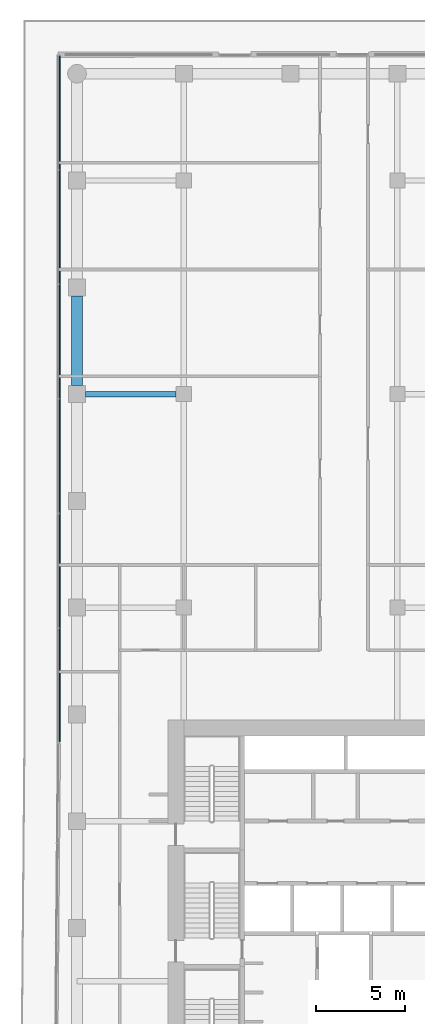
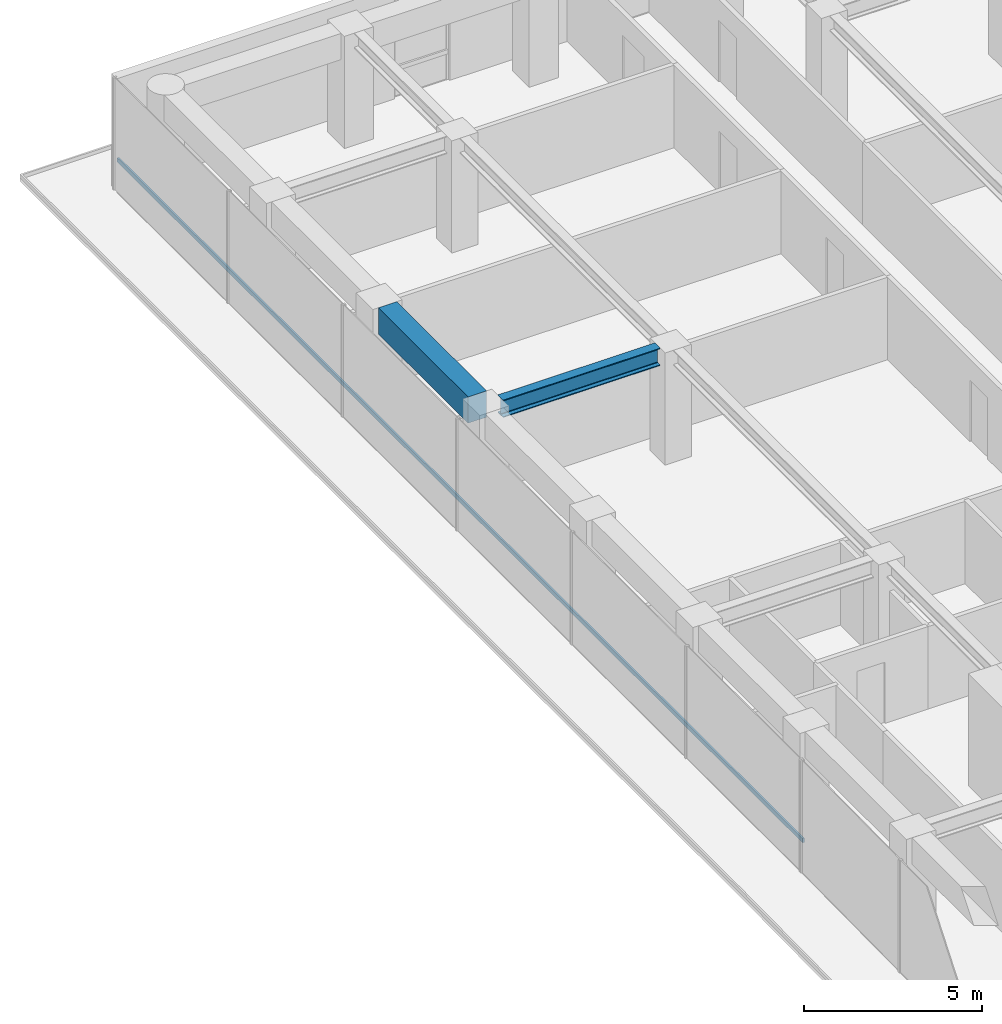
# One storey, part 15 of 29: 2 beams, 1 member, 1 element without a shape of its own.
"""IFC4 building model written with IfcOpenShell, lengths in metres."""

from ifc_helpers import new_model, si_unit, direction, frame, origin, origin_2d, place, context, subcontext, project, spatial, rectangle, i_section, extrude, material, layer, layer_set, material_profile, profile_set, type_object, element, aggregate, save


model = new_model("IFC4")

# Units and contexts
model_context = context("Model", 3, precision=1e-05, world=origin(), true_north=direction((0.0, 1.0)))
body_context = subcontext(model_context, "Body", "Model", "MODEL_VIEW")
ifc_project = project(units=[si_unit("LENGTHUNIT", "METRE"), si_unit("AREAUNIT", "SQUARE_METRE"), si_unit("VOLUMEUNIT", "CUBIC_METRE"), si_unit("PLANEANGLEUNIT", "RADIAN"), si_unit("MASSUNIT", "GRAM", prefix="KILO")], contexts=[model_context])

# Site, building, storey
site_placement = place(None, origin())
site = spatial("IfcSite", under=ifc_project, at=site_placement, CompositionType="ELEMENT")
building_placement = place(site_placement, origin())
building = spatial("IfcBuilding", under=site, at=building_placement, Name="Welwitschia Terrace Campus", CompositionType="ELEMENT")
storey_placement = place(building_placement, frame((0.0, 0.0, 50.0)))
storey = spatial("IfcBuildingStorey", under=building, at=storey_placement, Name="L11", CompositionType="ELEMENT", Elevation=50.0)

# Beams
ifc_material_1 = material(Name="Steel S355", Category="steel")
ifc_material_profile_1 = material_profile(ifc_material_1, i_section(OverallWidth=0.300048828125, OverallDepth=0.60009765625, WebThickness=0.015380859375, FlangeThickness=0.030029296875, FilletRadius=0.027099609375, at=origin_2d()))
ifc_profile_set_1 = profile_set([ifc_material_profile_1], Name="Steel S355")
beam_type_1 = type_object("IfcBeamType", Name="Primary beam HE 600 B", PredefinedType="BEAM", material=ifc_profile_set_1)
beam_1_placement = place(storey_placement, frame((0.4755859375, 44.0, 3.550048828125), z_axis=(1.0, 0.0, 0.0), x_axis=(0.0, 1.0, 0.0)))
element("IfcBeam", 1, at=beam_1_placement, inside=storey, type_object=beam_type_1, Name="Primary beam PB2", PredefinedType="BEAM", context=body_context, shape_type="SweptSolid", body=[
    extrude(i_section(OverallWidth=0.300048828125, OverallDepth=0.60009765625, WebThickness=0.015380859375, FlangeThickness=0.030029296875, FilletRadius=0.027099609375, at=origin_2d()), origin(), (0.0, 0.0, 1.0), 5.098876953125),
])
ifc_material_2 = material(Name="Concrete C60/75", Category="concrete")
ifc_material_profile_2 = material_profile(ifc_material_2, rectangle(XDim=0.60009765625, YDim=0.89990234375, at=origin_2d()))
ifc_profile_set_2 = profile_set([ifc_material_profile_2], Name="Concrete C60/75")
beam_type_2 = type_object("IfcBeamType", Name="Ring spandrel 600x900", PredefinedType="SPANDREL", material=ifc_profile_set_2)
beam_2_placement = place(storey_placement, frame((0.0, 49.5244140625, 3.39990234375), z_axis=(0.0, -1.0, 0.0), x_axis=(1.0, 0.0, 0.0)))
element("IfcBeam", 2, at=beam_2_placement, inside=storey, type_object=beam_type_2, Name="Spandrel SP2", PredefinedType="SPANDREL", context=body_context, shape_type="SweptSolid", body=[
    extrude(rectangle(XDim=0.60009765625, YDim=0.89990234375, at=origin_2d()), origin(), (0.0, 0.0, 1.0), 5.048828125),
])

# Curtain wall, member
ifc_material_3 = material(Name="Bronze anodised aluminium", Category="aluminium")
ifc_layer = layer(ifc_material_3, 0.1201171875)
ifc_layer_set = layer_set([ifc_layer], Name="Bronze anodised aluminium")
curtain_wall_type = type_object("IfcCurtainWallType", Name="Curtain wall CW2 tower 6000", PredefinedType="NOTDEFINED", material=ifc_layer_set)
curtain_wall_placement = place(storey_placement, origin())
curtain_wall = element("IfcCurtainWall", 3, at=curtain_wall_placement, inside=storey, type_object=curtain_wall_type, Name="CW L11.10.0", PredefinedType="NOTDEFINED")
ifc_material_4 = material(Name="Bronze anodised aluminium", Category="aluminium")
ifc_material_profile_3 = material_profile(ifc_material_4, rectangle(XDim=0.06005859375, YDim=0.14990234375, at=origin_2d()))
ifc_profile_set_3 = profile_set([ifc_material_profile_3], Name="Bronze anodised aluminium")
member_type = type_object("IfcMemberType", Name="Transom 60x150", PredefinedType="USERDEFINED", material=ifc_profile_set_3)
member_placement = place(storey_placement, frame((-0.968017578125, 62.998046875, 1.0), z_axis=(0.0, -1.0, 0.0), x_axis=(1.0, 0.0, 0.0)))
member = element("IfcMember", 4, at=member_placement, type_object=member_type, Name="Transom L11.10.0", ObjectType="TRANSOM", PredefinedType="USERDEFINED", context=body_context, shape_type="SweptSolid", body=[
    extrude(rectangle(XDim=0.06005859375, YDim=0.14990234375, at=origin_2d()), origin(), (0.0, 0.0, 1.0), 38.529296875),
])
aggregate(curtain_wall, [member])

save(model, "model.ifc")
